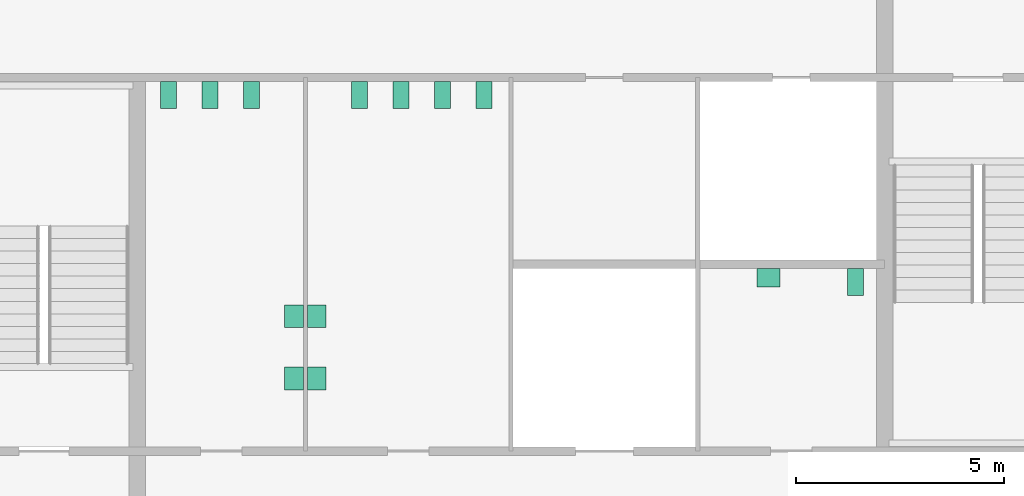
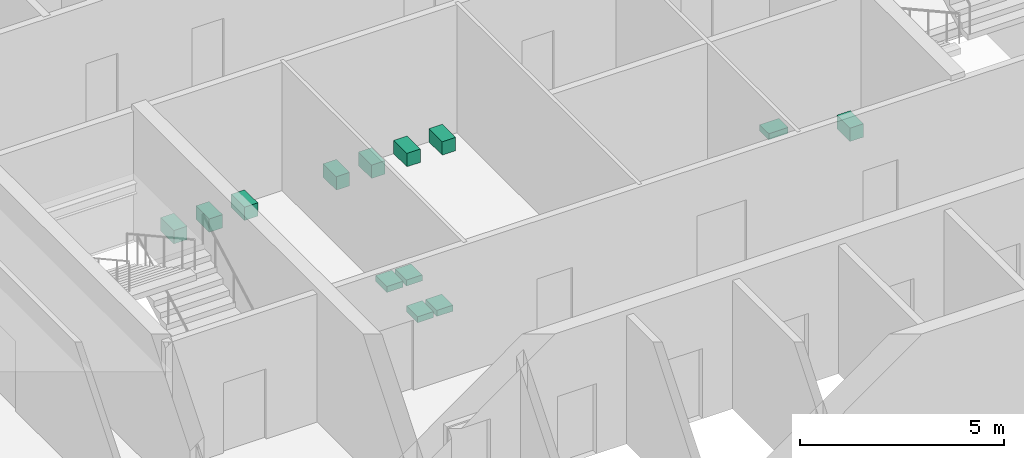
# One storey, part 14 of 14: 13 sanitary terminals.
"""IFC4 building model written with IfcOpenShell, lengths in metres."""

from ifc_helpers import new_model, si_unit, direction, frame, origin, origin_2d, place, context, subcontext, project, spatial, rectangle, extrude, material, type_object, element, save


model = new_model("IFC4")

# Units and contexts
model_context = context("Model", 3, precision=1e-05, world=origin(), true_north=direction((0.0, 1.0)))
body_context = subcontext(model_context, "Body", "Model", "MODEL_VIEW")
ifc_project = project(units=[si_unit("LENGTHUNIT", "METRE"), si_unit("AREAUNIT", "SQUARE_METRE"), si_unit("VOLUMEUNIT", "CUBIC_METRE"), si_unit("PLANEANGLEUNIT", "RADIAN"), si_unit("MASSUNIT", "GRAM", prefix="KILO")], contexts=[model_context])

# Site, building, storey
site_placement = place(None, origin())
site = spatial("IfcSite", under=ifc_project, at=site_placement, CompositionType="ELEMENT")
building_placement = place(site_placement, origin())
building = spatial("IfcBuilding", under=site, at=building_placement, Name="Corais Broadcast Tower", CompositionType="ELEMENT")
storey_placement = place(building_placement, frame((0.0, 0.0, 234.60009765625)))
storey = spatial("IfcBuildingStorey", under=building, at=storey_placement, Name="L54", CompositionType="ELEMENT", Elevation=234.60009765625)

# Sanitary terminals
ifc_material_1 = material(Name="Vitreous china", Category="ceramic")
sanitary_terminal_type_1 = type_object("IfcSanitaryTerminalType", Name="WC pan 380x650", PredefinedType="TOILETPAN", material=ifc_material_1)
for number, where, z_axis, x_axis, name in (
    (1, (18.75, 31.074951171875, 0.0), (0.0, 0.0, 1.0), (1.0, 0.0, 0.0), "SW1 WC pan, male toilets L54"),
    (2, (19.75, 31.074951171875, 0.0), (0.0, 0.0, 1.0), (1.0, 0.0, 0.0), "SW1 WC pan, male toilets L54"),
    (3, (20.75, 31.074951171875, 0.0), (0.0, 0.0, 1.0), (1.0, 0.0, 0.0), "SW1 WC pan, male toilets L54"),
    (4, (23.35009765625, 31.074951171875, 0.0), (0.0, 0.0, 1.0), (1.0, 0.0, 0.0), "SW1 WC pan, female toilets L54"),
    (5, (24.35009765625, 31.074951171875, 0.0), (0.0, 0.0, 1.0), (1.0, 0.0, 0.0), "SW1 WC pan, female toilets L54"),
    (6, (25.35009765625, 31.074951171875, 0.0), (0.0, 0.0, 1.0), (1.0, 0.0, 0.0), "SW1 WC pan, female toilets L54"),
    (7, (26.35009765625, 31.074951171875, 0.0), (0.0, 0.0, 1.0), (1.0, 0.0, 0.0), "SW1 WC pan, female toilets L54"),
    (8, (35.300048828125, 26.574951171875, 0.0), (0.0, 0.0, 1.0), (1.0, 0.0, 0.0), "SW1 WC pan, accessible WC L54"),
):
    element("IfcSanitaryTerminal", number, at=place(storey_placement, frame(where, z_axis=z_axis, x_axis=x_axis)), inside=storey, type_object=sanitary_terminal_type_1, Name=name, PredefinedType="TOILETPAN", context=body_context, shape_type="SweptSolid", body=[
        extrude(rectangle(XDim=0.3798828125, YDim=0.64990234375, at=origin_2d()), origin(), (0.0, 0.0, 1.0), 0.39990234375),
    ])
ifc_material_2 = material(Name="Vitreous china", Category="ceramic")
sanitary_terminal_type_2 = type_object("IfcSanitaryTerminalType", Name="Wash basin 550x450", PredefinedType="WASHHANDBASIN", material=ifc_material_2)
for number, where, z_axis, x_axis, name in (
    (9, (21.77490234375, 24.25, 0.69970703125), (0.0, 0.0, 1.0), (1.0, 0.0, 0.0), "WB1 wash basin, male toilets L54"),
    (10, (21.77490234375, 25.75, 0.69970703125), (0.0, 0.0, 1.0), (1.0, 0.0, 0.0), "WB1 wash basin, male toilets L54"),
    (11, (22.324951171875, 24.25, 0.69970703125), (0.0, 0.0, 1.0), (1.0, 0.0, 0.0), "WB1 wash basin, female toilets L54"),
    (12, (22.324951171875, 25.75, 0.69970703125), (0.0, 0.0, 1.0), (1.0, 0.0, 0.0), "WB1 wash basin, female toilets L54"),
):
    element("IfcSanitaryTerminal", number, at=place(storey_placement, frame(where, z_axis=z_axis, x_axis=x_axis)), inside=storey, type_object=sanitary_terminal_type_2, Name=name, PredefinedType="WASHHANDBASIN", context=body_context, shape_type="SweptSolid", body=[
        extrude(rectangle(XDim=0.449951171875, YDim=0.550048828125, at=origin_2d()), origin(), (0.0, 0.0, 1.0), 0.179931640625),
    ])
sanitary_terminal_placement = place(storey_placement, frame((33.199951171875, 26.675048828125, 0.69970703125), z_axis=(0.0, 0.0, 1.0), x_axis=(1.0, 0.0, 0.0)))
element("IfcSanitaryTerminal", 13, at=sanitary_terminal_placement, inside=storey, type_object=sanitary_terminal_type_2, Name="WB1 wash basin, accessible WC L54", PredefinedType="WASHHANDBASIN", context=body_context, shape_type="SweptSolid", body=[
    extrude(rectangle(XDim=0.550048828125, YDim=0.449951171875, at=origin_2d()), origin(), (0.0, 0.0, 1.0), 0.179931640625),
])

save(model, "model.ifc")
